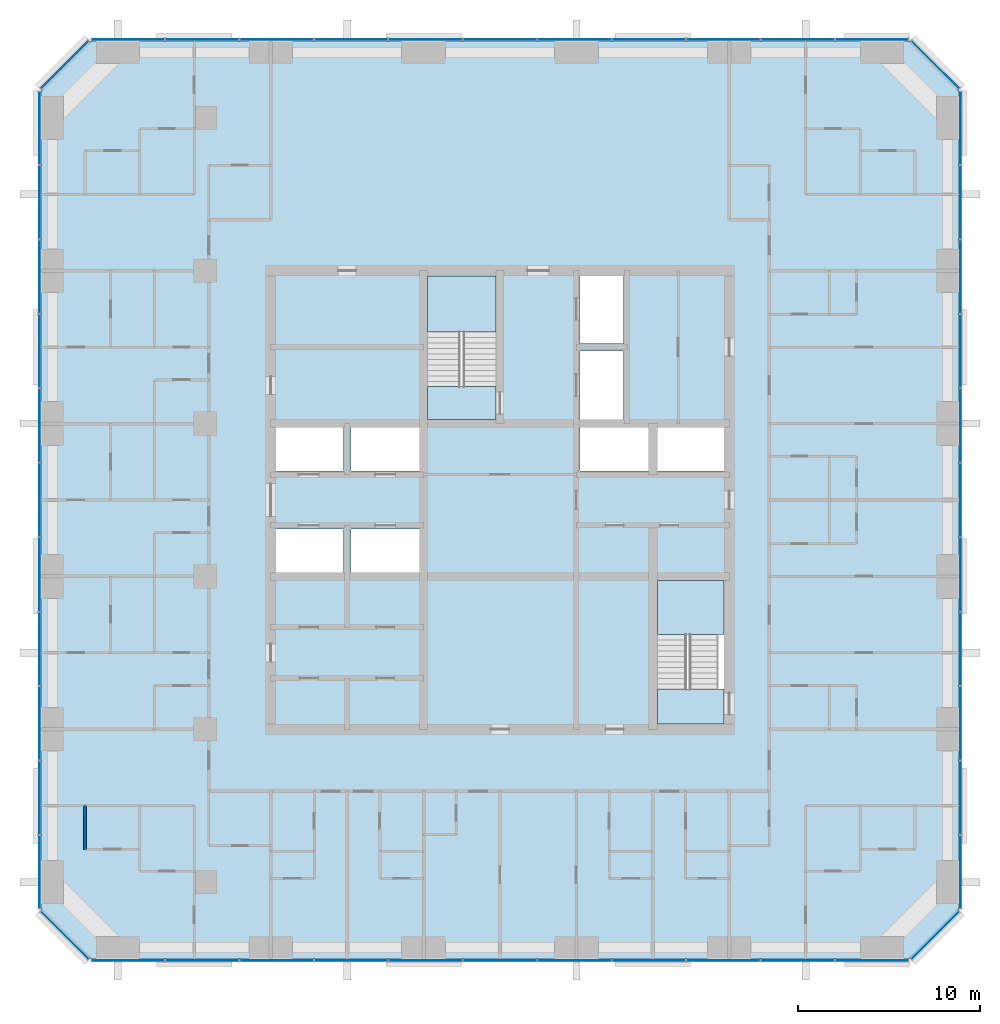
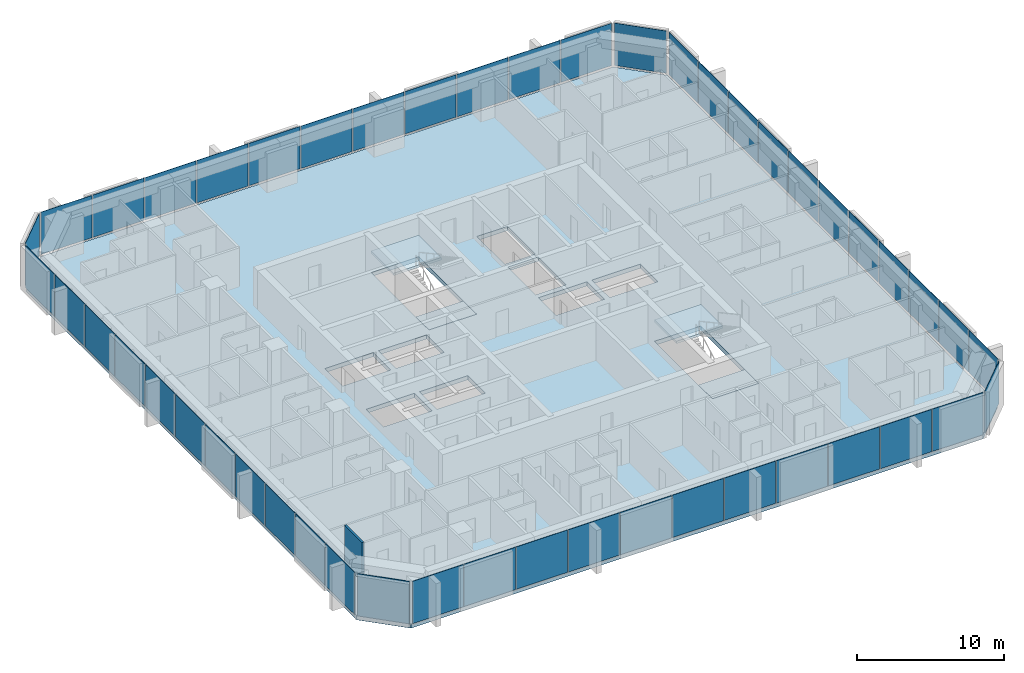
# One storey, part 7 of 14: 48 plates, 5 slabs, 1 wall, 10 elements without a shape of their own.
"""IFC4 building model written with IfcOpenShell, lengths in metres."""

from ifc_helpers import new_model, si_unit, direction, frame, frame_2d, origin, origin_2d, place, context, subcontext, project, spatial, polyline, rectangle, outline, extrude, material, layer, layer_set, type_object, element, aggregate, save


model = new_model("IFC4")

# Units and contexts
model_context = context("Model", 3, precision=1e-05, world=origin(), true_north=direction((0.0, 1.0)))
body_context = subcontext(model_context, "Body", "Model", "MODEL_VIEW")
ifc_project = project(units=[si_unit("LENGTHUNIT", "METRE"), si_unit("AREAUNIT", "SQUARE_METRE"), si_unit("VOLUMEUNIT", "CUBIC_METRE"), si_unit("PLANEANGLEUNIT", "RADIAN"), si_unit("MASSUNIT", "GRAM", prefix="KILO")], contexts=[model_context])

# Site, building, storey
site_placement = place(None, origin())
site = spatial("IfcSite", under=ifc_project, at=site_placement, CompositionType="ELEMENT")
building_placement = place(site_placement, origin())
building = spatial("IfcBuilding", under=site, at=building_placement, Name="Dunama Terrace Hotel", CompositionType="ELEMENT")
storey_placement = place(building_placement, frame((0.0, 0.0, 198.60009765625)))
storey = spatial("IfcBuildingStorey", under=building, at=storey_placement, Name="L51", CompositionType="ELEMENT", Elevation=198.60009765625)

# Curtain wall, plates
ifc_material_1 = material(Name="Aluminium curtain wall system", Category="aluminium")
curtain_wall_type = type_object("IfcCurtainWallType", Name="Unitised fritted glass wall CW-C", PredefinedType="NOTDEFINED", material=ifc_material_1)
curtain_wall_1_placement = place(storey_placement, origin())
curtain_wall_1 = element("IfcCurtainWall", 1, at=curtain_wall_1_placement, inside=storey, type_object=curtain_wall_type, Name="Unitised fritted glass wall CW-C L51", PredefinedType="NOTDEFINED")
ifc_material_2 = material(Name="Laminated glass", Category="glass")
ifc_layer_1 = layer(ifc_material_2, 0.031982421875)
ifc_layer_set_1 = layer_set([ifc_layer_1], Name="CWC clear glass panel")
plate_type_1 = type_object("IfcPlateType", Name="CWC clear glass panel", PredefinedType="CURTAIN_PANEL", material=ifc_layer_set_1)
plate_1_placement = place(storey_placement, frame((8.962890625, 4.10009765625, 0.079833984375), z_axis=(0.0, 0.0, 1.0), x_axis=(1.0, 0.0, 0.0)))
plate_1 = element("IfcPlate", 2, at=plate_1_placement, type_object=plate_type_1, Name="CWC clear glass panel", PredefinedType="CURTAIN_PANEL", context=body_context, shape_type="SweptSolid", body=[
    extrude(rectangle(XDim=3.98583984375, YDim=0.031982421875, at=origin_2d()), origin(), (0.0, 0.0, 1.0), 3.52001953125),
])
plate_2_placement = place(storey_placement, frame((21.218017578125, 4.10009765625, 0.079833984375), z_axis=(0.0, 0.0, 1.0), x_axis=(1.0, 0.0, 0.0)))
plate_2 = element("IfcPlate", 3, at=plate_2_placement, type_object=plate_type_1, Name="CWC clear glass panel", PredefinedType="CURTAIN_PANEL", context=body_context, shape_type="SweptSolid", body=[
    extrude(rectangle(XDim=4.02099609375, YDim=0.031982421875, at=origin_2d()), origin(), (0.0, 0.0, 1.0), 3.52001953125),
])
plate_3_placement = place(storey_placement, frame((33.490966796875, 4.10009765625, 0.079833984375), z_axis=(0.0, 0.0, 1.0), x_axis=(1.0, 0.0, 0.0)))
plate_3 = element("IfcPlate", 4, at=plate_3_placement, type_object=plate_type_1, Name="CWC clear glass panel", PredefinedType="CURTAIN_PANEL", context=body_context, shape_type="SweptSolid", body=[
    extrude(rectangle(XDim=4.02099609375, YDim=0.031982421875, at=origin_2d()), origin(), (0.0, 0.0, 1.0), 3.52001953125),
])
plate_4_placement = place(storey_placement, frame((45.763916015625, 4.10009765625, 0.079833984375), z_axis=(0.0, 0.0, 1.0), x_axis=(1.0, 0.0, 0.0)))
plate_4 = element("IfcPlate", 5, at=plate_4_placement, type_object=plate_type_1, Name="CWC clear glass panel", PredefinedType="CURTAIN_PANEL", context=body_context, shape_type="SweptSolid", body=[
    extrude(rectangle(XDim=4.02099609375, YDim=0.031982421875, at=origin_2d()), origin(), (0.0, 0.0, 1.0), 3.52001953125),
])

curtain_wall_2_placement = place(storey_placement, origin())
curtain_wall_2 = element("IfcCurtainWall", 6, at=curtain_wall_2_placement, inside=storey, type_object=curtain_wall_type, Name="Unitised fritted glass wall CW-C L51", PredefinedType="NOTDEFINED")
plate_5_placement = place(storey_placement, frame((54.699951171875, 8.962890625, 0.079833984375), z_axis=(0.0, 0.0, 1.0), x_axis=(0.0, 1.0, 0.0)))
plate_5 = element("IfcPlate", 7, at=plate_5_placement, type_object=plate_type_1, Name="CWC clear glass panel", PredefinedType="CURTAIN_PANEL", context=body_context, shape_type="SweptSolid", body=[
    extrude(rectangle(XDim=3.98583984375, YDim=0.031982421875, at=origin_2d()), origin(), (0.0, 0.0, 1.0), 3.52001953125),
])
plate_6_placement = place(storey_placement, frame((54.699951171875, 21.218017578125, 0.079833984375), z_axis=(0.0, 0.0, 1.0), x_axis=(0.0, 1.0, 0.0)))
plate_6 = element("IfcPlate", 8, at=plate_6_placement, type_object=plate_type_1, Name="CWC clear glass panel", PredefinedType="CURTAIN_PANEL", context=body_context, shape_type="SweptSolid", body=[
    extrude(rectangle(XDim=4.02099609375, YDim=0.031982421875, at=origin_2d()), origin(), (0.0, 0.0, 1.0), 3.52001953125),
])
plate_7_placement = place(storey_placement, frame((54.699951171875, 33.490966796875, 0.079833984375), z_axis=(0.0, 0.0, 1.0), x_axis=(0.0, 1.0, 0.0)))
plate_7 = element("IfcPlate", 9, at=plate_7_placement, type_object=plate_type_1, Name="CWC clear glass panel", PredefinedType="CURTAIN_PANEL", context=body_context, shape_type="SweptSolid", body=[
    extrude(rectangle(XDim=4.02099609375, YDim=0.031982421875, at=origin_2d()), origin(), (0.0, 0.0, 1.0), 3.52001953125),
])
plate_8_placement = place(storey_placement, frame((54.699951171875, 45.763916015625, 0.079833984375), z_axis=(0.0, 0.0, 1.0), x_axis=(0.0, 1.0, 0.0)))
plate_8 = element("IfcPlate", 10, at=plate_8_placement, type_object=plate_type_1, Name="CWC clear glass panel", PredefinedType="CURTAIN_PANEL", context=body_context, shape_type="SweptSolid", body=[
    extrude(rectangle(XDim=4.02099609375, YDim=0.031982421875, at=origin_2d()), origin(), (0.0, 0.0, 1.0), 3.52001953125),
])

curtain_wall_3_placement = place(storey_placement, origin())
curtain_wall_3 = element("IfcCurtainWall", 11, at=curtain_wall_3_placement, inside=storey, type_object=curtain_wall_type, Name="Unitised fritted glass wall CW-C L51", PredefinedType="NOTDEFINED")
plate_9_placement = place(storey_placement, frame((49.8369140625, 54.699951171875, 0.079833984375), z_axis=(0.0, 0.0, 1.0), x_axis=(-1.0, 0.0, 0.0)))
plate_9 = element("IfcPlate", 12, at=plate_9_placement, type_object=plate_type_1, Name="CWC clear glass panel", PredefinedType="CURTAIN_PANEL", context=body_context, shape_type="SweptSolid", body=[
    extrude(rectangle(XDim=3.98583984375, YDim=0.031982421875, at=origin_2d()), origin(), (0.0, 0.0, 1.0), 3.52001953125),
])
plate_10_placement = place(storey_placement, frame((37.58203125, 54.699951171875, 0.079833984375), z_axis=(0.0, 0.0, 1.0), x_axis=(-1.0, 0.0, 0.0)))
plate_10 = element("IfcPlate", 13, at=plate_10_placement, type_object=plate_type_1, Name="CWC clear glass panel", PredefinedType="CURTAIN_PANEL", context=body_context, shape_type="SweptSolid", body=[
    extrude(rectangle(XDim=4.02099609375, YDim=0.031982421875, at=origin_2d()), origin(), (0.0, 0.0, 1.0), 3.52001953125),
])
plate_11_placement = place(storey_placement, frame((25.30908203125, 54.699951171875, 0.079833984375), z_axis=(0.0, 0.0, 1.0), x_axis=(-1.0, 0.0, 0.0)))
plate_11 = element("IfcPlate", 14, at=plate_11_placement, type_object=plate_type_1, Name="CWC clear glass panel", PredefinedType="CURTAIN_PANEL", context=body_context, shape_type="SweptSolid", body=[
    extrude(rectangle(XDim=4.02099609375, YDim=0.031982421875, at=origin_2d()), origin(), (0.0, 0.0, 1.0), 3.52001953125),
])
plate_12_placement = place(storey_placement, frame((13.035888671875, 54.699951171875, 0.079833984375), z_axis=(0.0, 0.0, 1.0), x_axis=(-1.0, 0.0, 0.0)))
plate_12 = element("IfcPlate", 15, at=plate_12_placement, type_object=plate_type_1, Name="CWC clear glass panel", PredefinedType="CURTAIN_PANEL", context=body_context, shape_type="SweptSolid", body=[
    extrude(rectangle(XDim=4.02099609375, YDim=0.031982421875, at=origin_2d()), origin(), (0.0, 0.0, 1.0), 3.52001953125),
])

curtain_wall_4_placement = place(storey_placement, origin())
curtain_wall_4 = element("IfcCurtainWall", 16, at=curtain_wall_4_placement, inside=storey, type_object=curtain_wall_type, Name="Unitised fritted glass wall CW-C L51", PredefinedType="NOTDEFINED")
plate_13_placement = place(storey_placement, frame((4.10009765625, 49.8369140625, 0.079833984375), z_axis=(0.0, 0.0, 1.0), x_axis=(0.0, -1.0, 0.0)))
plate_13 = element("IfcPlate", 17, at=plate_13_placement, type_object=plate_type_1, Name="CWC clear glass panel", PredefinedType="CURTAIN_PANEL", context=body_context, shape_type="SweptSolid", body=[
    extrude(rectangle(XDim=3.98583984375, YDim=0.031982421875, at=origin_2d()), origin(), (0.0, 0.0, 1.0), 3.52001953125),
])
plate_14_placement = place(storey_placement, frame((4.10009765625, 37.58203125, 0.079833984375), z_axis=(0.0, 0.0, 1.0), x_axis=(0.0, -1.0, 0.0)))
plate_14 = element("IfcPlate", 18, at=plate_14_placement, type_object=plate_type_1, Name="CWC clear glass panel", PredefinedType="CURTAIN_PANEL", context=body_context, shape_type="SweptSolid", body=[
    extrude(rectangle(XDim=4.02099609375, YDim=0.031982421875, at=origin_2d()), origin(), (0.0, 0.0, 1.0), 3.52001953125),
])
plate_15_placement = place(storey_placement, frame((4.10009765625, 25.30908203125, 0.079833984375), z_axis=(0.0, 0.0, 1.0), x_axis=(0.0, -1.0, 0.0)))
plate_15 = element("IfcPlate", 19, at=plate_15_placement, type_object=plate_type_1, Name="CWC clear glass panel", PredefinedType="CURTAIN_PANEL", context=body_context, shape_type="SweptSolid", body=[
    extrude(rectangle(XDim=4.02099609375, YDim=0.031982421875, at=origin_2d()), origin(), (0.0, 0.0, 1.0), 3.52001953125),
])
plate_16_placement = place(storey_placement, frame((4.10009765625, 13.035888671875, 0.079833984375), z_axis=(0.0, 0.0, 1.0), x_axis=(0.0, -1.0, 0.0)))
plate_16 = element("IfcPlate", 20, at=plate_16_placement, type_object=plate_type_1, Name="CWC clear glass panel", PredefinedType="CURTAIN_PANEL", context=body_context, shape_type="SweptSolid", body=[
    extrude(rectangle(XDim=4.02099609375, YDim=0.031982421875, at=origin_2d()), origin(), (0.0, 0.0, 1.0), 3.52001953125),
])

# Plate
ifc_material_3 = material(Name="Fritted laminated glass", Category="glass")
ifc_layer_2 = layer(ifc_material_3, 0.031982421875)
ifc_layer_set_2 = layer_set([ifc_layer_2], Name="CWC fritted glass panel")
plate_type_2 = type_object("IfcPlateType", Name="CWC fritted glass panel", PredefinedType="CURTAIN_PANEL", material=ifc_layer_set_2)
plate_17_placement = place(storey_placement, frame((17.126953125, 4.10009765625, 0.079833984375), z_axis=(0.0, 0.0, 1.0), x_axis=(1.0, 0.0, 0.0)))
plate_17 = element("IfcPlate", 21, at=plate_17_placement, type_object=plate_type_2, Name="CWC fritted glass panel", PredefinedType="CURTAIN_PANEL", context=body_context, shape_type="SweptSolid", body=[
    extrude(rectangle(XDim=4.02099609375, YDim=0.031982421875, at=origin_2d()), origin(), (0.0, 0.0, 1.0), 3.52001953125),
])

plate_18_placement = place(storey_placement, frame((29.39990234375, 4.10009765625, 0.079833984375), z_axis=(0.0, 0.0, 1.0), x_axis=(1.0, 0.0, 0.0)))
plate_18 = element("IfcPlate", 22, at=plate_18_placement, type_object=plate_type_2, Name="CWC fritted glass panel", PredefinedType="CURTAIN_PANEL", context=body_context, shape_type="SweptSolid", body=[
    extrude(rectangle(XDim=4.02099609375, YDim=0.031982421875, at=origin_2d()), origin(), (0.0, 0.0, 1.0), 3.52001953125),
])

plate_19_placement = place(storey_placement, frame((41.673095703125, 4.10009765625, 0.079833984375), z_axis=(0.0, 0.0, 1.0), x_axis=(1.0, 0.0, 0.0)))
plate_19 = element("IfcPlate", 23, at=plate_19_placement, type_object=plate_type_2, Name="CWC fritted glass panel", PredefinedType="CURTAIN_PANEL", context=body_context, shape_type="SweptSolid", body=[
    extrude(rectangle(XDim=4.02099609375, YDim=0.031982421875, at=origin_2d()), origin(), (0.0, 0.0, 1.0), 3.52001953125),
])

# Curtain wall, plate
curtain_wall_5_placement = place(storey_placement, origin())
curtain_wall_5 = element("IfcCurtainWall", 24, at=curtain_wall_5_placement, inside=storey, type_object=curtain_wall_type, Name="Unitised fritted glass wall CW-C L51", PredefinedType="NOTDEFINED")
plate_20_placement = place(storey_placement, frame((53.321044921875, 5.47900390625, 0.079833984375), z_axis=(0.0, 0.0, 1.0), x_axis=(0.707106781187, 0.707106781187, 0.0)))
plate_20 = element("IfcPlate", 25, at=plate_20_placement, type_object=plate_type_2, Name="CWC fritted glass panel", PredefinedType="CURTAIN_PANEL", context=body_context, shape_type="SweptSolid", body=[
    extrude(rectangle(XDim=3.678466796875, YDim=0.031982421875, at=origin_2d()), origin(), (0.0, 0.0, 1.0), 3.52001953125),
])
aggregate(curtain_wall_5, [plate_20])

# Plate
plate_21_placement = place(storey_placement, frame((54.699951171875, 17.126953125, 0.079833984375), z_axis=(0.0, 0.0, 1.0), x_axis=(0.0, 1.0, 0.0)))
plate_21 = element("IfcPlate", 26, at=plate_21_placement, type_object=plate_type_2, Name="CWC fritted glass panel", PredefinedType="CURTAIN_PANEL", context=body_context, shape_type="SweptSolid", body=[
    extrude(rectangle(XDim=4.02099609375, YDim=0.031982421875, at=origin_2d()), origin(), (0.0, 0.0, 1.0), 3.52001953125),
])

plate_22_placement = place(storey_placement, frame((54.699951171875, 29.39990234375, 0.079833984375), z_axis=(0.0, 0.0, 1.0), x_axis=(0.0, 1.0, 0.0)))
plate_22 = element("IfcPlate", 27, at=plate_22_placement, type_object=plate_type_2, Name="CWC fritted glass panel", PredefinedType="CURTAIN_PANEL", context=body_context, shape_type="SweptSolid", body=[
    extrude(rectangle(XDim=4.02099609375, YDim=0.031982421875, at=origin_2d()), origin(), (0.0, 0.0, 1.0), 3.52001953125),
])

plate_23_placement = place(storey_placement, frame((54.699951171875, 41.673095703125, 0.079833984375), z_axis=(0.0, 0.0, 1.0), x_axis=(0.0, 1.0, 0.0)))
plate_23 = element("IfcPlate", 28, at=plate_23_placement, type_object=plate_type_2, Name="CWC fritted glass panel", PredefinedType="CURTAIN_PANEL", context=body_context, shape_type="SweptSolid", body=[
    extrude(rectangle(XDim=4.02099609375, YDim=0.031982421875, at=origin_2d()), origin(), (0.0, 0.0, 1.0), 3.52001953125),
])

# Curtain wall, plate
curtain_wall_6_placement = place(storey_placement, origin())
curtain_wall_6 = element("IfcCurtainWall", 29, at=curtain_wall_6_placement, inside=storey, type_object=curtain_wall_type, Name="Unitised fritted glass wall CW-C L51", PredefinedType="NOTDEFINED")
plate_24_placement = place(storey_placement, frame((53.321044921875, 53.321044921875, 0.079833984375), z_axis=(0.0, 0.0, 1.0), x_axis=(-0.707106781187, 0.707106781187, 0.0)))
plate_24 = element("IfcPlate", 30, at=plate_24_placement, type_object=plate_type_2, Name="CWC fritted glass panel", PredefinedType="CURTAIN_PANEL", context=body_context, shape_type="SweptSolid", body=[
    extrude(rectangle(XDim=3.678466796875, YDim=0.031982421875, at=origin_2d()), origin(), (0.0, 0.0, 1.0), 3.52001953125),
])
aggregate(curtain_wall_6, [plate_24])

# Plate
plate_25_placement = place(storey_placement, frame((41.673095703125, 54.699951171875, 0.079833984375), z_axis=(0.0, 0.0, 1.0), x_axis=(-1.0, 0.0, 0.0)))
plate_25 = element("IfcPlate", 31, at=plate_25_placement, type_object=plate_type_2, Name="CWC fritted glass panel", PredefinedType="CURTAIN_PANEL", context=body_context, shape_type="SweptSolid", body=[
    extrude(rectangle(XDim=4.02099609375, YDim=0.031982421875, at=origin_2d()), origin(), (0.0, 0.0, 1.0), 3.52001953125),
])

plate_26_placement = place(storey_placement, frame((29.39990234375, 54.699951171875, 0.079833984375), z_axis=(0.0, 0.0, 1.0), x_axis=(-1.0, 0.0, 0.0)))
plate_26 = element("IfcPlate", 32, at=plate_26_placement, type_object=plate_type_2, Name="CWC fritted glass panel", PredefinedType="CURTAIN_PANEL", context=body_context, shape_type="SweptSolid", body=[
    extrude(rectangle(XDim=4.02099609375, YDim=0.031982421875, at=origin_2d()), origin(), (0.0, 0.0, 1.0), 3.52001953125),
])

plate_27_placement = place(storey_placement, frame((17.126953125, 54.699951171875, 0.079833984375), z_axis=(0.0, 0.0, 1.0), x_axis=(-1.0, 0.0, 0.0)))
plate_27 = element("IfcPlate", 33, at=plate_27_placement, type_object=plate_type_2, Name="CWC fritted glass panel", PredefinedType="CURTAIN_PANEL", context=body_context, shape_type="SweptSolid", body=[
    extrude(rectangle(XDim=4.02099609375, YDim=0.031982421875, at=origin_2d()), origin(), (0.0, 0.0, 1.0), 3.52001953125),
])

# Curtain wall, plate
curtain_wall_7_placement = place(storey_placement, origin())
curtain_wall_7 = element("IfcCurtainWall", 34, at=curtain_wall_7_placement, inside=storey, type_object=curtain_wall_type, Name="Unitised fritted glass wall CW-C L51", PredefinedType="NOTDEFINED")
plate_28_placement = place(storey_placement, frame((5.47900390625, 53.321044921875, 0.079833984375), z_axis=(0.0, 0.0, 1.0), x_axis=(-0.707106781187, -0.707106781187, 0.0)))
plate_28 = element("IfcPlate", 35, at=plate_28_placement, type_object=plate_type_2, Name="CWC fritted glass panel", PredefinedType="CURTAIN_PANEL", context=body_context, shape_type="SweptSolid", body=[
    extrude(rectangle(XDim=3.678466796875, YDim=0.031982421875, at=origin_2d()), origin(), (0.0, 0.0, 1.0), 3.52001953125),
])
aggregate(curtain_wall_7, [plate_28])

# Plate
plate_29_placement = place(storey_placement, frame((4.10009765625, 41.673095703125, 0.079833984375), z_axis=(0.0, 0.0, 1.0), x_axis=(0.0, -1.0, 0.0)))
plate_29 = element("IfcPlate", 36, at=plate_29_placement, type_object=plate_type_2, Name="CWC fritted glass panel", PredefinedType="CURTAIN_PANEL", context=body_context, shape_type="SweptSolid", body=[
    extrude(rectangle(XDim=4.02099609375, YDim=0.031982421875, at=origin_2d()), origin(), (0.0, 0.0, 1.0), 3.52001953125),
])

plate_30_placement = place(storey_placement, frame((4.10009765625, 29.39990234375, 0.079833984375), z_axis=(0.0, 0.0, 1.0), x_axis=(0.0, -1.0, 0.0)))
plate_30 = element("IfcPlate", 37, at=plate_30_placement, type_object=plate_type_2, Name="CWC fritted glass panel", PredefinedType="CURTAIN_PANEL", context=body_context, shape_type="SweptSolid", body=[
    extrude(rectangle(XDim=4.02099609375, YDim=0.031982421875, at=origin_2d()), origin(), (0.0, 0.0, 1.0), 3.52001953125),
])

plate_31_placement = place(storey_placement, frame((4.10009765625, 17.126953125, 0.079833984375), z_axis=(0.0, 0.0, 1.0), x_axis=(0.0, -1.0, 0.0)))
plate_31 = element("IfcPlate", 38, at=plate_31_placement, type_object=plate_type_2, Name="CWC fritted glass panel", PredefinedType="CURTAIN_PANEL", context=body_context, shape_type="SweptSolid", body=[
    extrude(rectangle(XDim=4.02099609375, YDim=0.031982421875, at=origin_2d()), origin(), (0.0, 0.0, 1.0), 3.52001953125),
])

# Curtain wall, plate
curtain_wall_8_placement = place(storey_placement, origin())
curtain_wall_8 = element("IfcCurtainWall", 39, at=curtain_wall_8_placement, inside=storey, type_object=curtain_wall_type, Name="Unitised fritted glass wall CW-C L51", PredefinedType="NOTDEFINED")
plate_32_placement = place(storey_placement, frame((5.47900390625, 5.47900390625, 0.079833984375), z_axis=(0.0, 0.0, 1.0), x_axis=(0.707106781187, -0.707106781187, 0.0)))
plate_32 = element("IfcPlate", 40, at=plate_32_placement, type_object=plate_type_2, Name="CWC fritted glass panel", PredefinedType="CURTAIN_PANEL", context=body_context, shape_type="SweptSolid", body=[
    extrude(rectangle(XDim=3.678466796875, YDim=0.031982421875, at=origin_2d()), origin(), (0.0, 0.0, 1.0), 3.52001953125),
])
aggregate(curtain_wall_8, [plate_32])

# Plate
ifc_material_4 = material(Name="Laminated glass", Category="glass")
ifc_layer_3 = layer(ifc_material_4, 0.031982421875)
ifc_layer_set_3 = layer_set([ifc_layer_3], Name="CWC operable glass panel")
plate_type_3 = type_object("IfcPlateType", Name="CWC operable glass panel", PredefinedType="CURTAIN_PANEL", material=ifc_layer_set_3)
plate_33_placement = place(storey_placement, frame((13.035888671875, 4.10009765625, 0.079833984375), z_axis=(0.0, 0.0, 1.0), x_axis=(1.0, 0.0, 0.0)))
plate_33 = element("IfcPlate", 41, at=plate_33_placement, type_object=plate_type_3, Name="CWC operable glass panel", PredefinedType="CURTAIN_PANEL", context=body_context, shape_type="SweptSolid", body=[
    extrude(rectangle(XDim=4.02099609375, YDim=0.031982421875, at=origin_2d()), origin(), (0.0, 0.0, 1.0), 3.52001953125),
])

plate_34_placement = place(storey_placement, frame((25.30908203125, 4.10009765625, 0.079833984375), z_axis=(0.0, 0.0, 1.0), x_axis=(1.0, 0.0, 0.0)))
plate_34 = element("IfcPlate", 42, at=plate_34_placement, type_object=plate_type_3, Name="CWC operable glass panel", PredefinedType="CURTAIN_PANEL", context=body_context, shape_type="SweptSolid", body=[
    extrude(rectangle(XDim=4.02099609375, YDim=0.031982421875, at=origin_2d()), origin(), (0.0, 0.0, 1.0), 3.52001953125),
])

plate_35_placement = place(storey_placement, frame((37.58203125, 4.10009765625, 0.079833984375), z_axis=(0.0, 0.0, 1.0), x_axis=(1.0, 0.0, 0.0)))
plate_35 = element("IfcPlate", 43, at=plate_35_placement, type_object=plate_type_3, Name="CWC operable glass panel", PredefinedType="CURTAIN_PANEL", context=body_context, shape_type="SweptSolid", body=[
    extrude(rectangle(XDim=4.02099609375, YDim=0.031982421875, at=origin_2d()), origin(), (0.0, 0.0, 1.0), 3.52001953125),
])

plate_36_placement = place(storey_placement, frame((49.8369140625, 4.10009765625, 0.079833984375), z_axis=(0.0, 0.0, 1.0), x_axis=(1.0, 0.0, 0.0)))
plate_36 = element("IfcPlate", 44, at=plate_36_placement, type_object=plate_type_3, Name="CWC operable glass panel", PredefinedType="CURTAIN_PANEL", context=body_context, shape_type="SweptSolid", body=[
    extrude(rectangle(XDim=3.98583984375, YDim=0.031982421875, at=origin_2d()), origin(), (0.0, 0.0, 1.0), 3.52001953125),
])

aggregate(curtain_wall_1, [plate_1, plate_33, plate_17, plate_2, plate_34, plate_18, plate_3, plate_35, plate_19, plate_4, plate_36])

plate_37_placement = place(storey_placement, frame((54.699951171875, 13.035888671875, 0.079833984375), z_axis=(0.0, 0.0, 1.0), x_axis=(0.0, 1.0, 0.0)))
plate_37 = element("IfcPlate", 45, at=plate_37_placement, type_object=plate_type_3, Name="CWC operable glass panel", PredefinedType="CURTAIN_PANEL", context=body_context, shape_type="SweptSolid", body=[
    extrude(rectangle(XDim=4.02099609375, YDim=0.031982421875, at=origin_2d()), origin(), (0.0, 0.0, 1.0), 3.52001953125),
])

plate_38_placement = place(storey_placement, frame((54.699951171875, 25.30908203125, 0.079833984375), z_axis=(0.0, 0.0, 1.0), x_axis=(0.0, 1.0, 0.0)))
plate_38 = element("IfcPlate", 46, at=plate_38_placement, type_object=plate_type_3, Name="CWC operable glass panel", PredefinedType="CURTAIN_PANEL", context=body_context, shape_type="SweptSolid", body=[
    extrude(rectangle(XDim=4.02099609375, YDim=0.031982421875, at=origin_2d()), origin(), (0.0, 0.0, 1.0), 3.52001953125),
])

plate_39_placement = place(storey_placement, frame((54.699951171875, 37.58203125, 0.079833984375), z_axis=(0.0, 0.0, 1.0), x_axis=(0.0, 1.0, 0.0)))
plate_39 = element("IfcPlate", 47, at=plate_39_placement, type_object=plate_type_3, Name="CWC operable glass panel", PredefinedType="CURTAIN_PANEL", context=body_context, shape_type="SweptSolid", body=[
    extrude(rectangle(XDim=4.02099609375, YDim=0.031982421875, at=origin_2d()), origin(), (0.0, 0.0, 1.0), 3.52001953125),
])

plate_40_placement = place(storey_placement, frame((54.699951171875, 49.8369140625, 0.079833984375), z_axis=(0.0, 0.0, 1.0), x_axis=(0.0, 1.0, 0.0)))
plate_40 = element("IfcPlate", 48, at=plate_40_placement, type_object=plate_type_3, Name="CWC operable glass panel", PredefinedType="CURTAIN_PANEL", context=body_context, shape_type="SweptSolid", body=[
    extrude(rectangle(XDim=3.98583984375, YDim=0.031982421875, at=origin_2d()), origin(), (0.0, 0.0, 1.0), 3.52001953125),
])

aggregate(curtain_wall_2, [plate_5, plate_37, plate_21, plate_6, plate_38, plate_22, plate_7, plate_39, plate_23, plate_8, plate_40])

plate_41_placement = place(storey_placement, frame((45.763916015625, 54.699951171875, 0.079833984375), z_axis=(0.0, 0.0, 1.0), x_axis=(-1.0, 0.0, 0.0)))
plate_41 = element("IfcPlate", 49, at=plate_41_placement, type_object=plate_type_3, Name="CWC operable glass panel", PredefinedType="CURTAIN_PANEL", context=body_context, shape_type="SweptSolid", body=[
    extrude(rectangle(XDim=4.02099609375, YDim=0.031982421875, at=origin_2d()), origin(), (0.0, 0.0, 1.0), 3.52001953125),
])

plate_42_placement = place(storey_placement, frame((33.490966796875, 54.699951171875, 0.079833984375), z_axis=(0.0, 0.0, 1.0), x_axis=(-1.0, 0.0, 0.0)))
plate_42 = element("IfcPlate", 50, at=plate_42_placement, type_object=plate_type_3, Name="CWC operable glass panel", PredefinedType="CURTAIN_PANEL", context=body_context, shape_type="SweptSolid", body=[
    extrude(rectangle(XDim=4.02099609375, YDim=0.031982421875, at=origin_2d()), origin(), (0.0, 0.0, 1.0), 3.52001953125),
])

plate_43_placement = place(storey_placement, frame((21.218017578125, 54.699951171875, 0.079833984375), z_axis=(0.0, 0.0, 1.0), x_axis=(-1.0, 0.0, 0.0)))
plate_43 = element("IfcPlate", 51, at=plate_43_placement, type_object=plate_type_3, Name="CWC operable glass panel", PredefinedType="CURTAIN_PANEL", context=body_context, shape_type="SweptSolid", body=[
    extrude(rectangle(XDim=4.02099609375, YDim=0.031982421875, at=origin_2d()), origin(), (0.0, 0.0, 1.0), 3.52001953125),
])

plate_44_placement = place(storey_placement, frame((8.962890625, 54.699951171875, 0.079833984375), z_axis=(0.0, 0.0, 1.0), x_axis=(-1.0, 0.0, 0.0)))
plate_44 = element("IfcPlate", 52, at=plate_44_placement, type_object=plate_type_3, Name="CWC operable glass panel", PredefinedType="CURTAIN_PANEL", context=body_context, shape_type="SweptSolid", body=[
    extrude(rectangle(XDim=3.98583984375, YDim=0.031982421875, at=origin_2d()), origin(), (0.0, 0.0, 1.0), 3.52001953125),
])

aggregate(curtain_wall_3, [plate_9, plate_41, plate_25, plate_10, plate_42, plate_26, plate_11, plate_43, plate_27, plate_12, plate_44])

plate_45_placement = place(storey_placement, frame((4.10009765625, 45.763916015625, 0.079833984375), z_axis=(0.0, 0.0, 1.0), x_axis=(0.0, -1.0, 0.0)))
plate_45 = element("IfcPlate", 53, at=plate_45_placement, type_object=plate_type_3, Name="CWC operable glass panel", PredefinedType="CURTAIN_PANEL", context=body_context, shape_type="SweptSolid", body=[
    extrude(rectangle(XDim=4.02099609375, YDim=0.031982421875, at=origin_2d()), origin(), (0.0, 0.0, 1.0), 3.52001953125),
])

plate_46_placement = place(storey_placement, frame((4.10009765625, 33.490966796875, 0.079833984375), z_axis=(0.0, 0.0, 1.0), x_axis=(0.0, -1.0, 0.0)))
plate_46 = element("IfcPlate", 54, at=plate_46_placement, type_object=plate_type_3, Name="CWC operable glass panel", PredefinedType="CURTAIN_PANEL", context=body_context, shape_type="SweptSolid", body=[
    extrude(rectangle(XDim=4.02099609375, YDim=0.031982421875, at=origin_2d()), origin(), (0.0, 0.0, 1.0), 3.52001953125),
])

plate_47_placement = place(storey_placement, frame((4.10009765625, 21.218017578125, 0.079833984375), z_axis=(0.0, 0.0, 1.0), x_axis=(0.0, -1.0, 0.0)))
plate_47 = element("IfcPlate", 55, at=plate_47_placement, type_object=plate_type_3, Name="CWC operable glass panel", PredefinedType="CURTAIN_PANEL", context=body_context, shape_type="SweptSolid", body=[
    extrude(rectangle(XDim=4.02099609375, YDim=0.031982421875, at=origin_2d()), origin(), (0.0, 0.0, 1.0), 3.52001953125),
])

plate_48_placement = place(storey_placement, frame((4.10009765625, 8.962890625, 0.079833984375), z_axis=(0.0, 0.0, 1.0), x_axis=(0.0, -1.0, 0.0)))
plate_48 = element("IfcPlate", 56, at=plate_48_placement, type_object=plate_type_3, Name="CWC operable glass panel", PredefinedType="CURTAIN_PANEL", context=body_context, shape_type="SweptSolid", body=[
    extrude(rectangle(XDim=3.98583984375, YDim=0.031982421875, at=origin_2d()), origin(), (0.0, 0.0, 1.0), 3.52001953125),
])

aggregate(curtain_wall_4, [plate_13, plate_45, plate_29, plate_14, plate_46, plate_30, plate_15, plate_47, plate_31, plate_16, plate_48])

# Slab
ifc_material_5 = material(Name="Concrete C40/50", Category="concrete")
ifc_layer_4 = layer(ifc_material_5, 0.35009765625)
ifc_layer_set_4 = layer_set([ifc_layer_4], Name="Flat plate 350")
slab_type_1 = type_object("IfcSlabType", Name="Flat plate 350", PredefinedType="FLOOR", material=ifc_layer_set_4)
slab_1_placement = place(storey_placement, frame((0.0, 0.0, -0.35009765625)))
element("IfcSlab", 57, at=slab_1_placement, inside=storey, type_object=slab_type_1, Name="Floor slab L51", PredefinedType="FLOOR", context=body_context, shape_type="SweptSolid", body=[
    extrude(outline(polyline([(6.89990234375, 4.199951171875), (51.89990234375, 4.199951171875), (54.60009765625, 6.89990234375), (54.60009765625, 51.89990234375), (51.89990234375, 54.60009765625), (6.89990234375, 54.60009765625), (4.199951171875, 51.89990234375), (4.199951171875, 6.89990234375), (6.89990234375, 4.199951171875)]), holes=[polyline([(20.800048828125, 25.39990234375), (20.800048828125, 27.800048828125), (17.0, 27.800048828125), (17.0, 25.39990234375), (20.800048828125, 25.39990234375)]), polyline([(25.0, 25.39990234375), (25.0, 27.800048828125), (21.199951171875, 27.800048828125), (21.199951171875, 25.39990234375), (25.0, 25.39990234375)]), polyline([(20.800048828125, 31.0), (20.800048828125, 33.39990234375), (17.0, 33.39990234375), (17.0, 31.0), (20.800048828125, 31.0)]), polyline([(25.0, 31.0), (25.0, 33.39990234375), (21.199951171875, 33.39990234375), (21.199951171875, 31.0), (25.0, 31.0)]), polyline([(37.60009765625, 31.0), (37.60009765625, 33.39990234375), (33.800048828125, 33.39990234375), (33.800048828125, 31.0), (37.60009765625, 31.0)]), polyline([(41.800048828125, 31.0), (41.800048828125, 33.39990234375), (38.0, 33.39990234375), (38.0, 31.0), (41.800048828125, 31.0)]), polyline([(36.199951171875, 38.0), (36.199951171875, 41.800048828125), (33.800048828125, 41.800048828125), (33.800048828125, 38.0), (36.199951171875, 38.0)]), polyline([(36.199951171875, 33.800048828125), (36.199951171875, 37.60009765625), (33.800048828125, 37.60009765625), (33.800048828125, 33.800048828125), (36.199951171875, 33.800048828125)]), polyline([(29.175048828125, 33.824951171875), (29.175048828125, 41.699951171875), (25.425048828125, 41.699951171875), (25.425048828125, 33.824951171875), (29.175048828125, 33.824951171875)]), polyline([(41.699951171875, 17.10009765625), (41.699951171875, 24.97509765625), (38.050048828125, 24.97509765625), (38.050048828125, 17.10009765625), (41.699951171875, 17.10009765625)])]), origin(), (0.0, 0.0, 1.0), 0.35009765625),
])

# Stair, slabs
ifc_material_6 = material(Name="Concrete C40/50", Category="concrete")
stair_type_1 = type_object("IfcStairType", Name="Stair ST1-3600-1800", PredefinedType="HALF_TURN_STAIR", material=ifc_material_6)
stair_1_placement = place(storey_placement, origin())
stair_1 = element("IfcStair", 58, at=stair_1_placement, inside=storey, type_object=stair_type_1, Name="Stair ST1 L51", PredefinedType="HALF_TURN_STAIR")
ifc_material_7 = material(Name="Concrete C40/50", Category="concrete")
ifc_layer_5 = layer(ifc_material_7, 0.199951171875)
ifc_layer_set_5 = layer_set([ifc_layer_5], Name="Stair landing 200")
slab_type_2 = type_object("IfcSlabType", Name="Stair landing 200", PredefinedType="LANDING", material=ifc_layer_set_5)
slab_2_placement = place(storey_placement, frame((0.0, 0.0, -0.2001953125)))
slab_2 = element("IfcSlab", 59, at=slab_2_placement, type_object=slab_type_2, Name="ST1 landing 1, type S10", PredefinedType="LANDING", context=body_context, shape_type="SweptSolid", body=[
    extrude(outline(polyline([(25.425048828125, 33.824951171875), (29.175048828125, 33.824951171875), (29.175048828125, 35.625), (25.425048828125, 35.625), (25.425048828125, 33.824951171875)])), origin(), (0.0, 0.0, 1.0), 0.2001953125),
])
slab_3_placement = place(storey_placement, frame((0.0, 0.0, 1.599853515625)))
slab_3 = element("IfcSlab", 60, at=slab_3_placement, type_object=slab_type_2, Name="ST1 landing 2, type S10", PredefinedType="LANDING", context=body_context, shape_type="SweptSolid", body=[
    extrude(outline(polyline([(25.425048828125, 38.625), (29.175048828125, 38.625), (29.175048828125, 41.699951171875), (25.425048828125, 41.699951171875), (25.425048828125, 38.625)])), origin(), (0.0, 0.0, 1.0), 0.199951171875),
])
aggregate(stair_1, [slab_2, slab_3])

ifc_material_8 = material(Name="Concrete C40/50", Category="concrete")
stair_type_2 = type_object("IfcStairType", Name="Stair ST2-3600-1600", PredefinedType="HALF_TURN_STAIR", material=ifc_material_8)
stair_2_placement = place(storey_placement, origin())
stair_2 = element("IfcStair", 61, at=stair_2_placement, inside=storey, type_object=stair_type_2, Name="Stair ST2 L51", PredefinedType="HALF_TURN_STAIR")
slab_4_placement = place(storey_placement, frame((0.0, 0.0, -0.2001953125)))
slab_4 = element("IfcSlab", 62, at=slab_4_placement, type_object=slab_type_2, Name="ST2 landing 1, type S10", PredefinedType="LANDING", context=body_context, shape_type="SweptSolid", body=[
    extrude(outline(polyline([(38.050048828125, 17.10009765625), (41.699951171875, 17.10009765625), (41.699951171875, 19.0), (38.050048828125, 19.0), (38.050048828125, 17.10009765625)])), origin(), (0.0, 0.0, 1.0), 0.2001953125),
])
slab_5_placement = place(storey_placement, frame((0.0, 0.0, 1.599853515625)))
slab_5 = element("IfcSlab", 63, at=slab_5_placement, type_object=slab_type_2, Name="ST2 landing 2, type S10", PredefinedType="LANDING", context=body_context, shape_type="SweptSolid", body=[
    extrude(outline(polyline([(38.050048828125, 22.0), (41.699951171875, 22.0), (41.699951171875, 24.97509765625), (38.050048828125, 24.97509765625), (38.050048828125, 22.0)])), origin(), (0.0, 0.0, 1.0), 0.199951171875),
])
aggregate(stair_2, [slab_4, slab_5])

# Wall
ifc_material_9 = material(Name="Gypsum board partition", Category="masonry")
ifc_layer_6 = layer(ifc_material_9, 0.14990234375)
ifc_layer_set_6 = layer_set([ifc_layer_6], Name="Room partition 150")
wall_type = type_object("IfcWallType", Name="Room partition 150", PredefinedType="PARTITIONING", material=ifc_layer_set_6)
wall_placement = place(storey_placement, frame((6.60009765625, 10.199951171875, 0.0), z_axis=(0.0, 0.0, 1.0), x_axis=(0.0, 1.0, 0.0)))
element("IfcWall", 64, at=wall_placement, inside=storey, type_object=wall_type, Name="Room partition 150 L51", PredefinedType="PARTITIONING", context=body_context, shape_type="SweptSolid", body=[
    extrude(rectangle(XDim=2.400146484375, YDim=0.14990234375, at=frame_2d((1.2001953125, 0.0))), origin(), (0.0, 0.0, 1.0), 3.25),
])

save(model, "model.ifc")
